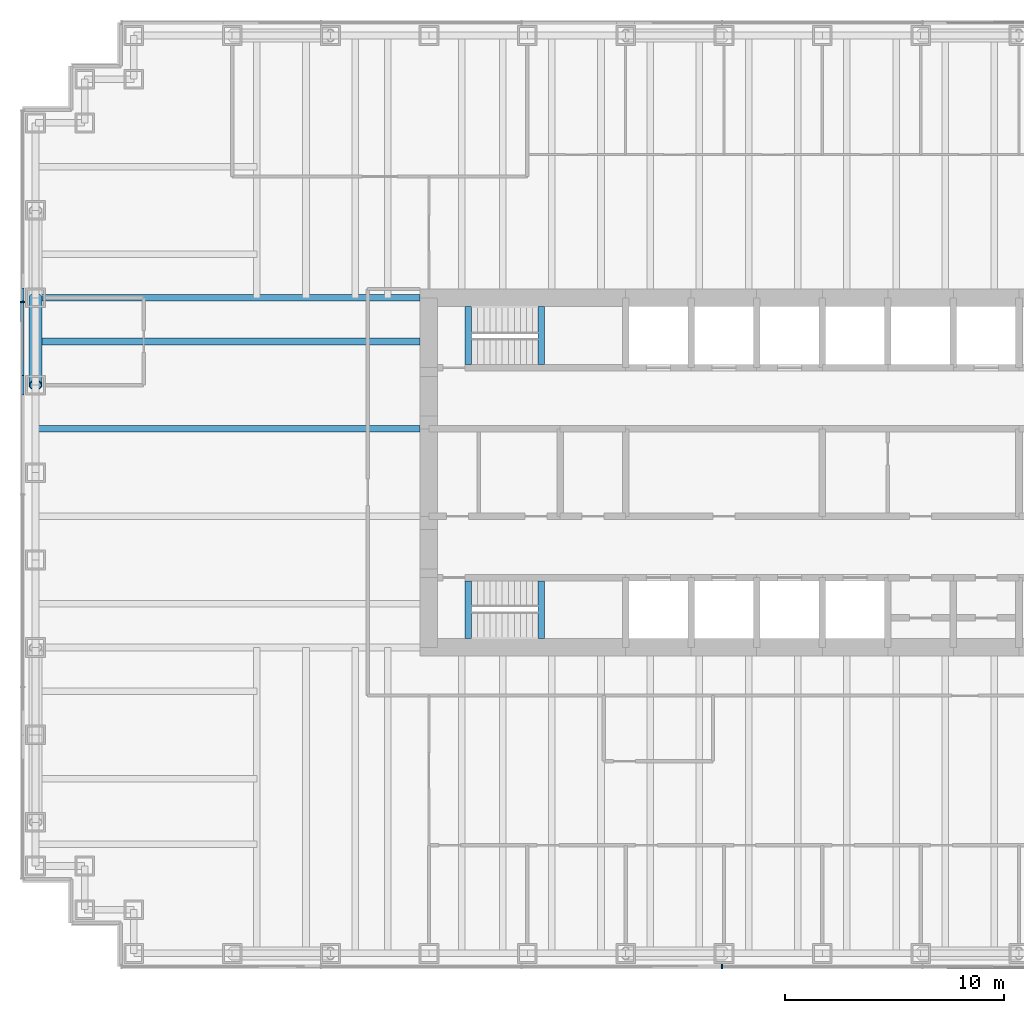
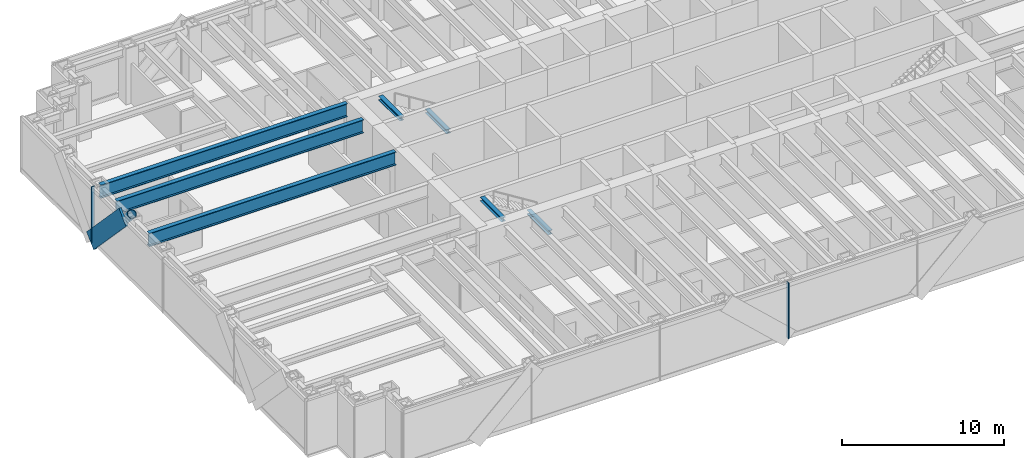
# One storey, part 3 of 17: 7 beams, 4 members, 2 elements without a shape of their own.
"""IFC4 building model written with IfcOpenShell, lengths in metres."""

import ifcopenshell
import ifcopenshell.guid

model = None  # the IFC model being written
_history = None  # IfcOwnerHistory: only IFC2X3 demands one
_inside = {}  # id of a spatial element -> (the spatial element, [elements in it])
_under = {}  # id of a project, library or spatial element -> (it, [spatial elements below it])
_declared = {}  # id of a project -> (the project, [libraries it declares])
_typed = {}  # id of a type object -> (the type object, [elements of that type])
_made_of = {}  # id of a material, layer set ... -> (it, [elements and type objects made of it])


def new_model(schema):
    """Start an empty IFC model of exactly this schema.

    Asked for "IFC4X3", IfcOpenShell would pick the latest addendum, in which some entities
    have other attributes; the version numbers below select the first issue.
    IFC2X3 requires an IfcOwnerHistory on every rooted entity: one is made here for all.
    """
    global model, _history
    if schema == "IFC4X3":
        model = ifcopenshell.file(schema_version=(4, 3, 0, 0))
    else:
        model = ifcopenshell.file(schema=schema)
    _inside.clear()
    _under.clear()
    _declared.clear()
    _typed.clear()
    _made_of.clear()
    _history = None
    if model.schema == "IFC2X3":
        org = make("IfcOrganization", Name="unknown")
        user = make(
            "IfcPersonAndOrganization",
            ThePerson=make("IfcPerson", FamilyName="unknown"),
            TheOrganization=org,
        )
        app = make(
            "IfcApplication",
            ApplicationDeveloper=org,
            Version="unknown",
            ApplicationFullName="unknown",
            ApplicationIdentifier="unknown",
        )
        _history = make(
            "IfcOwnerHistory",
            OwningUser=user,
            OwningApplication=app,
            ChangeAction="ADDED",
            CreationDate=0,
        )
    return model


def make(cls, **values):
    """One entity of the class cls with the attributes given. An attribute that is None is left unset."""
    return model.create_entity(
        cls, **{name: value for name, value in values.items() if value is not None}
    )


def rooted(cls, **values):
    """An entity with a GlobalId (a new one), such as an element, a storey or a relation."""
    return make(cls, GlobalId=ifcopenshell.guid.new(), OwnerHistory=_history, **values)


def si_unit(unit_type, name, prefix=None):
    """IfcSIUnit, for example si_unit("LENGTHUNIT", "METRE", prefix="MILLI")."""
    return make("IfcSIUnit", UnitType=unit_type, Prefix=prefix, Name=name)


def assignment(units):
    """IfcUnitAssignment: the units of a project."""
    return None if units is None else make("IfcUnitAssignment", Units=units)


def point(xyz):
    """IfcCartesianPoint."""
    return None if xyz is None else make("IfcCartesianPoint", Coordinates=xyz)


def direction(xyz):
    """IfcDirection."""
    return None if xyz is None else make("IfcDirection", DirectionRatios=xyz)


def frame(location, z_axis=None, x_axis=None):
    """IfcAxis2Placement3D, a coordinate frame: its origin and axes. An axis left out is left unset."""
    return make(
        "IfcAxis2Placement3D",
        Location=point(location),
        Axis=direction(z_axis),
        RefDirection=direction(x_axis),
    )


def frame_2d(location, x_axis=None):
    """IfcAxis2Placement2D, a coordinate frame in the plane: its origin and x axis."""
    return make(
        "IfcAxis2Placement2D", Location=point(location), RefDirection=direction(x_axis)
    )


def origin():
    """The frame at (0, 0, 0) with its axes left unset."""
    return frame((0.0, 0.0, 0.0))


def origin_2d():
    """The frame at (0, 0) in the plane with its x axis left unset."""
    return frame_2d((0.0, 0.0))


def place(relative_to, where):
    """IfcLocalPlacement: puts the frame where relative to a parent placement (None: the world)."""
    return make(
        "IfcLocalPlacement", PlacementRelTo=relative_to, RelativePlacement=where
    )


def context(
    kind, dimensions, precision=None, world=None, true_north=None, identifier=None
):
    """IfcGeometricRepresentationContext, for example the 3D "Model" context."""
    return make(
        "IfcGeometricRepresentationContext",
        ContextIdentifier=identifier,
        ContextType=kind,
        CoordinateSpaceDimension=dimensions,
        Precision=precision,
        WorldCoordinateSystem=world,
        TrueNorth=true_north,
    )


def subcontext(parent, identifier, kind, view, scale=None):
    """IfcGeometricRepresentationSubContext, for example "Body" below "Model"."""
    return make(
        "IfcGeometricRepresentationSubContext",
        ContextIdentifier=identifier,
        ContextType=kind,
        ParentContext=parent,
        TargetScale=scale,
        TargetView=view,
    )


def project(units=None, contexts=None):
    """IfcProject with its units and contexts."""
    return rooted(
        "IfcProject",
        Name="project",
        RepresentationContexts=contexts,
        UnitsInContext=assignment(units),
    )


def spatial(cls, under=None, at=None, **own):
    """A site, building, storey or space (cls), placed at a placement, below another one or the project."""
    s = rooted(cls, ObjectPlacement=at, **own)
    if under is not None:
        _under.setdefault(under.id(), (under, []))[1].append(s)
    return s


def profile(cls, at=None, kind="AREA", **sizes):
    """A parametric profile (cls). Its sizes go by their IFC names, for example OverallWidth=200.0."""
    return make(cls, ProfileType=kind, Position=at, **sizes)


def rectangle(**sizes):
    """IfcRectangleProfileDef."""
    return profile("IfcRectangleProfileDef", **sizes)


def hollow_circle(**sizes):
    """IfcCircleHollowProfileDef."""
    return profile("IfcCircleHollowProfileDef", **sizes)


def i_section(**sizes):
    """IfcIShapeProfileDef."""
    return profile("IfcIShapeProfileDef", **sizes)


def extrude(swept, where, along, depth):
    """IfcExtrudedAreaSolid: the profile swept, set in the frame where, extruded along a direction by depth."""
    return make(
        "IfcExtrudedAreaSolid",
        SweptArea=swept,
        Position=where,
        ExtrudedDirection=direction(along),
        Depth=depth,
    )


def shape(context_of_items, identifier, shape_type, items):
    """IfcShapeRepresentation: the items that make up one representation, for example the "Body"."""
    return make(
        "IfcShapeRepresentation",
        ContextOfItems=context_of_items,
        RepresentationIdentifier=identifier,
        RepresentationType=shape_type,
        Items=items,
    )


def material(Name=None, Category=None):
    """IfcMaterial."""
    return make("IfcMaterial", Name=Name, Category=Category)


def material_profile(
    of_material, cross_section, Name=None, Category=None, Priority=None
):
    """IfcMaterialProfile: a cross section and its material."""
    return make(
        "IfcMaterialProfile",
        Name=Name,
        Material=of_material,
        Profile=cross_section,
        Priority=Priority,
        Category=Category,
    )


def profile_set(profiles, Name=None, composite=None):
    """IfcMaterialProfileSet."""
    return make(
        "IfcMaterialProfileSet",
        Name=Name,
        MaterialProfiles=profiles,
        CompositeProfile=composite,
    )


def made_of(thing, what):
    """Note that an element or type object is made of a material, layer set ...; save() writes the relation."""
    if what is not None:
        _made_of.setdefault(what.id(), (what, []))[1].append(thing)
    return thing


def type_object(cls, material=None, **own):
    """A type object (cls), such as IfcWallType, which elements share."""
    return made_of(rooted(cls, **own), material)


def element(
    cls,
    number,
    at=None,
    inside=None,
    cuts=None,
    type_object=None,
    material=None,
    context=None,
    identifier="Body",
    shape_type=None,
    held_by="IfcProductDefinitionShape",
    body=None,
    shapes=None,
    **own,
):
    """One element of the class cls, such as IfcWall. Its Tag is "e" and its number.

    at: its placement. inside: the storey or other place that contains it. cuts: it is an
    opening in that element (IfcRelVoidsElement). A single representation is given by context,
    identifier, shape_type and body (its items); several are given by shapes. held_by: the class
    of the entity that holds the representations. save() writes the other relations.
    """
    e = rooted(cls, Tag="e%d" % number, ObjectPlacement=at, **own)
    if body is not None:
        shapes = [shape(context, identifier, shape_type, body)]
    if shapes is not None:
        e.Representation = make(held_by, Representations=shapes)
    if inside is not None:
        _inside.setdefault(inside.id(), (inside, []))[1].append(e)
    if cuts is not None:
        rooted(
            "IfcRelVoidsElement", RelatingBuildingElement=cuts, RelatedOpeningElement=e
        )
    if type_object is not None:
        _typed.setdefault(type_object.id(), (type_object, []))[1].append(e)
    return made_of(e, material)


def aggregate(whole, parts):
    """IfcRelAggregates: a whole, such as a stair, and the parts it consists of."""
    return rooted("IfcRelAggregates", RelatingObject=whole, RelatedObjects=parts)


def save(model, path):
    """Write the relations noted so far, then the file.

    IfcRelAggregates (storeys below a building ...), IfcRelContainedInSpatialStructure (elements
    in a storey), IfcRelDefinesByType, IfcRelAssociatesMaterial and IfcRelDeclares: one each for
    every whole, place, type object, material and project.
    """
    for whole, parts in _under.values():
        aggregate(whole, parts)
    for where, things in _inside.values():
        rooted(
            "IfcRelContainedInSpatialStructure",
            RelatedElements=things,
            RelatingStructure=where,
        )
    for kind, things in _typed.values():
        rooted("IfcRelDefinesByType", RelatedObjects=things, RelatingType=kind)
    for what, things in _made_of.values():
        rooted("IfcRelAssociatesMaterial", RelatedObjects=things, RelatingMaterial=what)
    for by, libraries in _declared.values():
        rooted("IfcRelDeclares", RelatingContext=by, RelatedDefinitions=libraries)
    model.write(path)


model = new_model("IFC4")

# Units and contexts
model_context = context("Model", 3, precision=1e-05, world=origin(), true_north=direction((0.0, 1.0)))
body_context = subcontext(model_context, "Body", "Model", "MODEL_VIEW")
ifc_project = project(units=[si_unit("LENGTHUNIT", "METRE"), si_unit("AREAUNIT", "SQUARE_METRE"), si_unit("VOLUMEUNIT", "CUBIC_METRE"), si_unit("PLANEANGLEUNIT", "RADIAN"), si_unit("MASSUNIT", "GRAM", prefix="KILO")], contexts=[model_context])

# Site, building, storey
site_placement = place(None, origin())
site = spatial("IfcSite", under=ifc_project, at=site_placement, CompositionType="ELEMENT")
building_placement = place(site_placement, origin())
building = spatial("IfcBuilding", under=site, at=building_placement, Name="Rheinbord Bourse Tower", CompositionType="ELEMENT")
storey_placement = place(building_placement, frame((0.0, 0.0, 190.0)))
storey = spatial("IfcBuildingStorey", under=building, at=storey_placement, Name="L42", CompositionType="ELEMENT", Elevation=190.0)

# Curtain wall, member
ifc_material_1 = material(Name="Dark glass and black aluminium", Category="aluminium")
curtain_wall_type = type_object("IfcCurtainWallType", Name="CW2 DARK GLASS CURTAIN WALL", PredefinedType="USERDEFINED", material=ifc_material_1)
curtain_wall_1_placement = place(storey_placement, origin())
curtain_wall_1 = element("IfcCurtainWall", 1, at=curtain_wall_1_placement, inside=storey, type_object=curtain_wall_type, Name="Curtain wall CW2 W L42", ObjectType="UNITISED CURTAIN WALL", PredefinedType="USERDEFINED")
ifc_material_2 = material(Name="Black anodised aluminium", Category="aluminium")
ifc_material_profile_1 = material_profile(ifc_material_2, rectangle(XDim=0.159912109375, YDim=1.2099609375, at=origin_2d()), Name="CW2 DIAGONAL MULLION 1210x160")
ifc_profile_set_1 = profile_set([ifc_material_profile_1], Name="Black anodised aluminium")
member_type_1 = type_object("IfcMemberType", Name="CW2 BLACK DIAGONAL MULLION", PredefinedType="USERDEFINED", material=ifc_profile_set_1)
member_1_placement = place(storey_placement, frame((-0.60009765625, 32.0, 0.0), z_axis=(0.0, -0.689659376744, 0.724133926887), x_axis=(1.0, 0.0, 0.0)))
member_1 = element("IfcMember", 2, at=member_1_placement, type_object=member_type_1, Name="CW2 diagonal mullion c", ObjectType="DIAGONAL MULLION", PredefinedType="USERDEFINED", context=body_context, shape_type="SweptSolid", body=[
    extrude(rectangle(XDim=0.159912109375, YDim=1.2099609375, at=origin_2d()), origin(), (0.0, 0.0, 1.0), 5.800048828125),
])

curtain_wall_2_placement = place(storey_placement, origin())
curtain_wall_2 = element("IfcCurtainWall", 3, at=curtain_wall_2_placement, inside=storey, type_object=curtain_wall_type, Name="Curtain wall CW2 S L42", ObjectType="UNITISED CURTAIN WALL", PredefinedType="USERDEFINED")
ifc_material_3 = material(Name="Black anodised aluminium", Category="aluminium")
ifc_material_profile_2 = material_profile(ifc_material_3, rectangle(XDim=0.219970703125, YDim=0.070068359375, at=origin_2d()), Name="CW2 MULLION 70x220")
ifc_profile_set_2 = profile_set([ifc_material_profile_2], Name="Black anodised aluminium")
member_type_2 = type_object("IfcMemberType", Name="CW2 BLACK MULLION", PredefinedType="MULLION", material=ifc_profile_set_2)
member_2_placement = place(storey_placement, frame((31.414306640625, 1.39990234375, 0.0), z_axis=(0.0, 0.0, 1.0), x_axis=(0.0, 1.0, 0.0)))
member_2 = element("IfcMember", 4, at=member_2_placement, type_object=member_type_2, Name="CW2 mullion 4", PredefinedType="MULLION", context=body_context, shape_type="SweptSolid", body=[
    extrude(rectangle(XDim=0.219970703125, YDim=0.070068359375, at=origin_2d()), origin(), (0.0, 0.0, 1.0), 4.199951171875),
])
aggregate(curtain_wall_2, [member_2])

# Member
member_3_placement = place(storey_placement, frame((-0.60009765625, 31.800048828125, 0.0), z_axis=(0.0, 0.0, 1.0), x_axis=(1.0, 0.0, 0.0)))
member_3 = element("IfcMember", 5, at=member_3_placement, type_object=member_type_2, Name="CW2 mullion 2", PredefinedType="MULLION", context=body_context, shape_type="SweptSolid", body=[
    extrude(rectangle(XDim=0.219970703125, YDim=0.070068359375, at=origin_2d()), origin(), (0.0, 0.0, 1.0), 4.199951171875),
])

aggregate(curtain_wall_1, [member_3, member_1])

# Beams
ifc_material_4 = material(Name="Steel S460", Category="steel")
ifc_material_profile_3 = material_profile(ifc_material_4, i_section(OverallWidth=0.302001953125, OverallDepth=1.008056640625, WebThickness=0.02099609375, FlangeThickness=0.0400390625, at=origin_2d()), Name="HEM 1000")
ifc_profile_set_3 = profile_set([ifc_material_profile_3], Name="Steel S460")
beam_type_1 = type_object("IfcBeamType", Name="END BEAM HEM 1000", PredefinedType="BEAM", material=ifc_profile_set_3)
for number, where, z_axis, x_axis, name in (
    (6, (0.0, 26.0, 3.535888671875), (1.0, 0.0, 0.0), (0.0, 1.0, 0.0), "End beam west 26 L43"),
    (7, (0.0, 30.0, 3.535888671875), (1.0, 0.0, 0.0), (0.0, 1.0, 0.0), "End beam west 30 L43"),
):
    element("IfcBeam", number, at=place(storey_placement, frame(where, z_axis=z_axis, x_axis=x_axis)), inside=storey, type_object=beam_type_1, Name=name, PredefinedType="BEAM", context=body_context, shape_type="SweptSolid", body=[
        extrude(i_section(OverallWidth=0.302001953125, OverallDepth=1.008056640625, WebThickness=0.02099609375, FlangeThickness=0.0400390625, at=origin_2d()), origin(), (0.0, 0.0, 1.0), 17.60009765625),
    ])
ifc_material_5 = material(Name="Steel S460", Category="steel")
ifc_material_profile_4 = material_profile(ifc_material_5, i_section(OverallWidth=0.302001953125, OverallDepth=1.008056640625, WebThickness=0.02099609375, FlangeThickness=0.0400390625, at=origin_2d()), Name="HEM 1000")
ifc_profile_set_4 = profile_set([ifc_material_profile_4], Name="Steel S460")
beam_type_2 = type_object("IfcBeamType", Name="GIRDER HEM 1000", PredefinedType="BEAM", material=ifc_profile_set_4)
beam_placement = place(storey_placement, frame((0.0, 32.0, 3.535888671875), z_axis=(1.0, 0.0, 0.0), x_axis=(0.0, 1.0, 0.0)))
element("IfcBeam", 8, at=beam_placement, inside=storey, type_object=beam_type_2, Name="Girder west 32 L43", PredefinedType="BEAM", context=body_context, shape_type="SweptSolid", body=[
    extrude(i_section(OverallWidth=0.302001953125, OverallDepth=1.008056640625, WebThickness=0.02099609375, FlangeThickness=0.0400390625, at=origin_2d()), origin(), (0.0, 0.0, 1.0), 17.60009765625),
])
ifc_material_6 = material(Name="Steel S460", Category="steel")
ifc_material_profile_5 = material_profile(ifc_material_6, i_section(OverallWidth=0.300048828125, OverallDepth=0.300048828125, WebThickness=0.010986328125, FlangeThickness=0.01904296875, at=origin_2d()), Name="HEB 300")
ifc_profile_set_5 = profile_set([ifc_material_profile_5], Name="Steel S460")
beam_type_3 = type_object("IfcBeamType", Name="LANDING TRIMMER HEB 300", PredefinedType="BEAM", material=ifc_profile_set_5)
for number, where, z_axis, x_axis, name in (
    (9, (23.1298828125, 16.39990234375, 1.75), (0.0, 1.0, 0.0), (-1.0, 0.0, 0.0), "Landing trimmer ST1 L42"),
    (10, (19.800048828125, 16.39990234375, 3.889892578125), (0.0, 1.0, 0.0), (-1.0, 0.0, 0.0), "Well trimmer ST1 under L43"),
    (11, (23.1298828125, 28.949951171875, 1.75), (0.0, 1.0, 0.0), (-1.0, 0.0, 0.0), "Landing trimmer ST2 L42"),
    (12, (19.800048828125, 28.949951171875, 3.889892578125), (0.0, 1.0, 0.0), (-1.0, 0.0, 0.0), "Well trimmer ST2 under L43"),
):
    element("IfcBeam", number, at=place(storey_placement, frame(where, z_axis=z_axis, x_axis=x_axis)), inside=storey, type_object=beam_type_3, Name=name, PredefinedType="BEAM", context=body_context, shape_type="SweptSolid", body=[
        extrude(i_section(OverallWidth=0.300048828125, OverallDepth=0.300048828125, WebThickness=0.010986328125, FlangeThickness=0.01904296875, at=origin_2d()), origin(), (0.0, 0.0, 1.0), 2.650146484375),
    ])

# Member
ifc_material_7 = material(Name="Steel S460", Category="steel")
ifc_material_profile_6 = material_profile(ifc_material_7, hollow_circle(Radius=0.304931640625, WallThickness=0.0400390625, at=origin_2d()), Name="CHS 610x40")
ifc_profile_set_6 = profile_set([ifc_material_profile_6], Name="Steel S460")
member_type_3 = type_object("IfcMemberType", Name="MEGABRACE CHS 610x40", PredefinedType="BRACE", material=ifc_profile_set_6)
member_4_placement = place(storey_placement, frame((0.0, 32.0, 0.0), z_axis=(0.0, -0.689659376744, 0.724133926887), x_axis=(1.0, 0.0, 0.0)))
element("IfcMember", 13, at=member_4_placement, inside=storey, type_object=member_type_3, Name="Megabrace W face line c L42", PredefinedType="BRACE", context=body_context, shape_type="SweptSolid", body=[
    extrude(hollow_circle(Radius=0.304931640625, WallThickness=0.0400390625, at=origin_2d()), origin(), (0.0, 0.0, 1.0), 5.800048828125),
])

save(model, "model.ifc")
